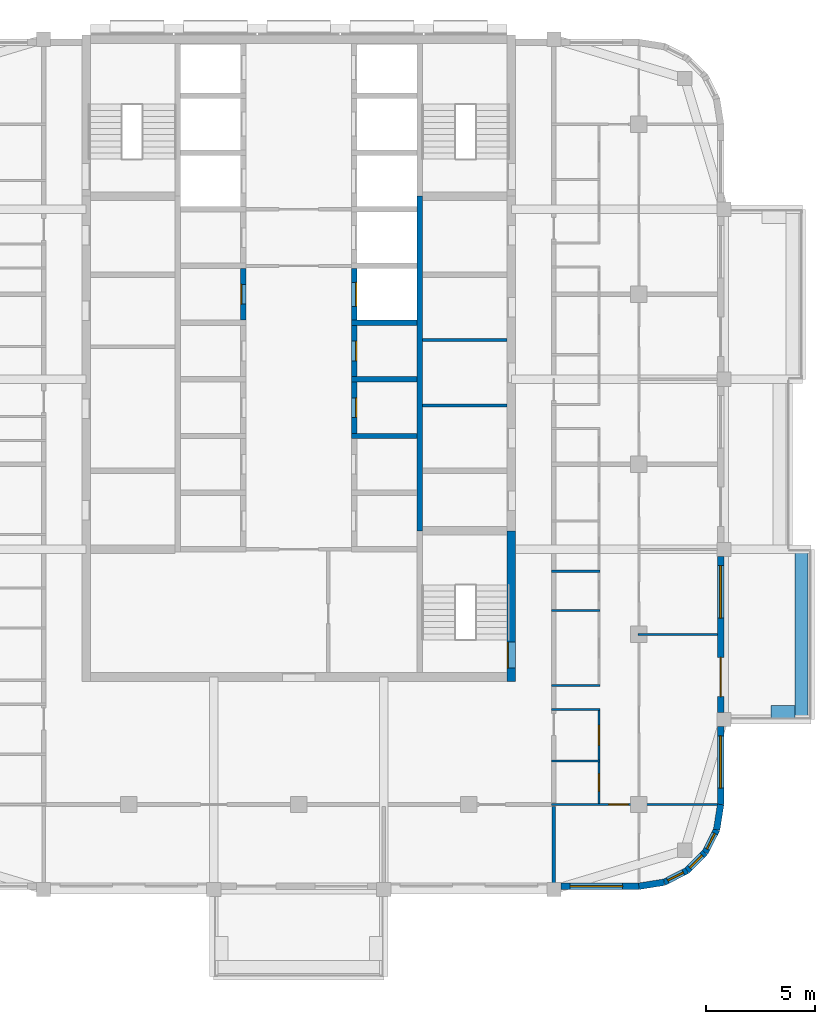
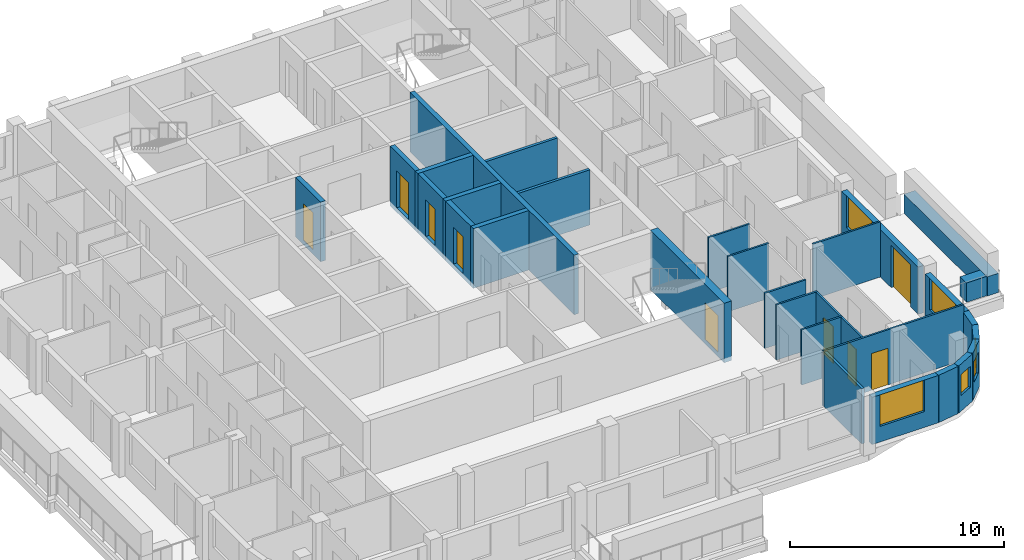
# One storey, part 5 of 13: 30 walls, 9 doors, 6 windows, 15 openings.
"""IFC4 building model written with IfcOpenShell, lengths in metres."""

from ifc_helpers import new_model, si_unit, direction, frame, frame_2d, origin, place, context, subcontext, project, spatial, rectangle, extrude, material, layer, layer_set, type_object, element, fill, save


model = new_model("IFC4")

# Units and contexts
model_context = context("Model", 3, precision=1e-05, world=origin(), true_north=direction((0.0, 1.0)))
body_context = subcontext(model_context, "Body", "Model", "MODEL_VIEW")
ifc_project = project(units=[si_unit("LENGTHUNIT", "METRE"), si_unit("AREAUNIT", "SQUARE_METRE"), si_unit("VOLUMEUNIT", "CUBIC_METRE"), si_unit("PLANEANGLEUNIT", "RADIAN"), si_unit("MASSUNIT", "GRAM", prefix="KILO")], contexts=[model_context])

# Site, building, storey
site_placement = place(None, origin())
site = spatial("IfcSite", under=ifc_project, at=site_placement, CompositionType="ELEMENT")
building_placement = place(site_placement, origin())
building = spatial("IfcBuilding", under=site, at=building_placement, Name="Ludao Terraces", CompositionType="ELEMENT")
storey_placement = place(building_placement, frame((0.0, 0.0, 249.39990234375)))
storey = spatial("IfcBuildingStorey", under=building, at=storey_placement, Name="L68", CompositionType="ELEMENT", Elevation=249.39990234375)

# Wall, opening, door
ifc_material_1 = material(Name="Concrete C50", Category="concrete")
ifc_layer_1 = layer(ifc_material_1, 0.39990234375)
ifc_layer_set_1 = layer_set([ifc_layer_1], Name="Core wall 400 C50")
wall_type_1 = type_object("IfcWallType", Name="Core wall 400 C50", PredefinedType="SOLIDWALL", material=ifc_layer_set_1)
wall_1_placement = place(storey_placement, frame((94.75, 55.050048828125, -0.25), z_axis=(0.0, 0.0, 1.0), x_axis=(0.0, 1.0, 0.0)))
wall_1 = element("IfcWall", 1, at=wall_1_placement, inside=storey, type_object=wall_type_1, Name="Core wall L68 outer-E-S3", PredefinedType="SOLIDWALL", context=body_context, shape_type="SweptSolid", body=[
    extrude(rectangle(XDim=6.89990234375, YDim=0.39990234375, at=frame_2d((3.449951171875, 0.0))), origin(), (0.0, 0.0, 1.0), 3.400146484375),
])
opening_1_placement = place(wall_1_placement, frame((0.60009765625, 0.0, 0.25)))
opening_1 = element("IfcOpeningElement", 2, at=opening_1_placement, cuts=wall_1, Name="Opening R24-017", PredefinedType="OPENING", context=body_context, shape_type="SweptSolid", body=[
    extrude(rectangle(XDim=1.199951171875, YDim=2.10009765625, at=frame_2d((0.60009765625, 1.050048828125))), frame((0.0, 0.2099609375, 0.0), z_axis=(0.0, -1.0, 0.0), x_axis=(1.0, 0.0, 0.0)), (0.0, 0.0, 1.0), 0.419921875),
])
ifc_material_2 = material(Name="Steel Q235", Category="steel")
door_type_1 = type_object("IfcDoorType", Name="INT Stair door 1200", OperationType="DOUBLE_DOOR_SINGLE_SWING", PredefinedType="DOOR", material=ifc_material_2)
door_1_placement = place(opening_1_placement, origin())
door_1 = element("IfcDoor", 3, at=door_1_placement, inside=storey, type_object=door_type_1, Name="DOOR 017", OperationType="DOUBLE_DOOR_SINGLE_SWING", OverallHeight=2.10009765625, OverallWidth=1.199951171875, PredefinedType="DOOR", context=body_context, shape_type="SweptSolid", body=[
    extrude(rectangle(XDim=1.199951171875, YDim=2.10009765625, at=frame_2d((0.60009765625, 1.050048828125))), frame((0.0, 0.18505859375, 0.0), z_axis=(0.0, -1.0, 0.0), x_axis=(1.0, 0.0, 0.0)), (0.0, 0.0, 1.0), 0.050048828125),
])
fill(opening_1, door_1)

# Walls
ifc_material_3 = material(Name="Concrete C40", Category="concrete")
ifc_layer_2 = layer(ifc_material_3, 0.60009765625)
ifc_layer_set_2 = layer_set([ifc_layer_2], Name="ENV Planter trough 600")
wall_type_2 = type_object("IfcWallType", Name="ENV Planter trough 600", PredefinedType="USERDEFINED", material=ifc_layer_set_2)
wall_2_placement = place(storey_placement, frame((108.050048828125, 53.300048828125, 0.0), z_axis=(0.0, 0.0, 1.0), x_axis=(0.0, 1.0, 0.0)))
element("IfcWall", 4, at=wall_2_placement, inside=storey, type_object=wall_type_2, Name="PL-L68-E1", ObjectType="PLANTER", PredefinedType="USERDEFINED", context=body_context, shape_type="SweptSolid", body=[
    extrude(rectangle(XDim=7.800048828125, YDim=0.60009765625, at=frame_2d((3.89990234375, 0.0))), origin(), (0.0, 0.0, 1.0), 1.10009765625),
])
wall_3_placement = place(storey_placement, frame((107.75, 53.64990234375, 0.0), z_axis=(0.0, 0.0, 1.0), x_axis=(-1.0, 0.0, 0.0)))
element("IfcWall", 5, at=wall_3_placement, inside=storey, type_object=wall_type_2, Name="PL-L68-E1-SA", ObjectType="PLANTER", PredefinedType="USERDEFINED", context=body_context, shape_type="SweptSolid", body=[
    extrude(rectangle(XDim=1.10009765625, YDim=0.60009765625, at=frame_2d((0.550048828125, 0.0))), origin(), (0.0, 0.0, 1.0), 1.10009765625),
])

# Wall, opening, window
ifc_material_4 = material(Name="Granite cladding", Category="masonry")
ifc_layer_3 = layer(ifc_material_4, 0.0400390625, Category="stone")
ifc_material_5 = material(Name="Mineral wool")
ifc_layer_4 = layer(ifc_material_5, 0.06005859375)
ifc_layer_5 = layer(ifc_material_3, 0.199951171875, Category="concrete")
ifc_layer_set_3 = layer_set([ifc_layer_3, ifc_layer_4, ifc_layer_5], Name="ENV Stone-clad wall 300")
wall_type_3 = type_object("IfcWallType", Name="ENV Stone-clad wall 300", PredefinedType="SOLIDWALL", material=ifc_layer_set_3)
wall_4_placement = place(storey_placement, frame((97.02490234375, 45.64990234375, 0.0), z_axis=(0.0, 0.0, 1.0), x_axis=(1.0, 0.0, 0.0)))
wall_4 = element("IfcWall", 6, at=wall_4_placement, inside=storey, type_object=wall_type_3, Name="EW-L68-S5", PredefinedType="SOLIDWALL", context=body_context, shape_type="SweptSolid", body=[
    extrude(rectangle(XDim=3.5751953125, YDim=0.300048828125, at=frame_2d((1.78759765625, 0.0))), origin(), (0.0, 0.0, 1.0), 2.7001953125),
])
opening_2_placement = place(wall_4_placement, frame((0.425048828125, 0.0, 0.89990234375)))
opening_2 = element("IfcOpeningElement", 7, at=opening_2_placement, cuts=wall_4, Name="Opening W1", PredefinedType="OPENING", context=body_context, shape_type="SweptSolid", body=[
    extrude(rectangle(XDim=2.39990234375, YDim=1.800048828125, at=frame_2d((1.199951171875, 0.89990234375))), frame((0.0, 0.16015625, 0.0), z_axis=(0.0, -1.0, 0.0), x_axis=(1.0, 0.0, 0.0)), (0.0, 0.0, 1.0), 0.320068359375),
])
ifc_material_6 = material(Name="Clear glass in aluminium frame", Category="aluminium")
ifc_layer_6 = layer(ifc_material_6, 0.06005859375)
ifc_layer_set_4 = layer_set([ifc_layer_6], Name="ENV Window W1 2400x1800")
window_type_1 = type_object("IfcWindowType", Name="ENV Window W1 2400x1800", PartitioningType="DOUBLE_PANEL_VERTICAL", PredefinedType="WINDOW", material=ifc_layer_set_4)
window_1_placement = place(opening_2_placement, origin())
window_1 = element("IfcWindow", 8, at=window_1_placement, inside=storey, type_object=window_type_1, Name="W-L68-S5-1", OverallHeight=1.800048828125, OverallWidth=2.39990234375, PartitioningType="DOUBLE_PANEL_VERTICAL", PredefinedType="WINDOW", context=body_context, shape_type="SweptSolid", body=[
    extrude(rectangle(XDim=2.39990234375, YDim=1.800048828125, at=frame_2d((1.199951171875, 0.89990234375))), frame((0.0, 0.030029296875, 0.0), z_axis=(0.0, -1.0, 0.0), x_axis=(1.0, 0.0, 0.0)), (0.0, 0.0, 1.0), 0.06005859375),
])
fill(opening_2, window_1)

wall_5_placement = place(storey_placement, frame((104.35009765625, 49.39990234375, 0.0), z_axis=(0.0, 0.0, 1.0), x_axis=(0.0, 1.0, 0.0)))
wall_5 = element("IfcWall", 9, at=wall_5_placement, inside=storey, type_object=wall_type_3, Name="EW-L68-E1", PredefinedType="SOLIDWALL", context=body_context, shape_type="SweptSolid", body=[
    extrude(rectangle(XDim=3.5751953125, YDim=0.300048828125, at=frame_2d((1.78759765625, 0.0))), origin(), (0.0, 0.0, 1.0), 2.7001953125),
])
opening_3_placement = place(wall_5_placement, frame((0.75, 0.0, 0.89990234375)))
opening_3 = element("IfcOpeningElement", 10, at=opening_3_placement, cuts=wall_5, Name="Opening W1", PredefinedType="OPENING", context=body_context, shape_type="SweptSolid", body=[
    extrude(rectangle(XDim=2.39990234375, YDim=1.800048828125, at=frame_2d((1.199951171875, 0.89990234375))), frame((0.0, 0.16015625, 0.0), z_axis=(0.0, -1.0, 0.0), x_axis=(1.0, 0.0, 0.0)), (0.0, 0.0, 1.0), 0.320068359375),
])
window_2_placement = place(opening_3_placement, origin())
window_2 = element("IfcWindow", 11, at=window_2_placement, inside=storey, type_object=window_type_1, Name="W-L68-E1-1", OverallHeight=1.800048828125, OverallWidth=2.39990234375, PartitioningType="DOUBLE_PANEL_VERTICAL", PredefinedType="WINDOW", context=body_context, shape_type="SweptSolid", body=[
    extrude(rectangle(XDim=2.39990234375, YDim=1.800048828125, at=frame_2d((1.199951171875, 0.89990234375))), frame((0.0, 0.030029296875, 0.0), z_axis=(0.0, -1.0, 0.0), x_axis=(1.0, 0.0, 0.0)), (0.0, 0.0, 1.0), 0.06005859375),
])
fill(opening_3, window_2)

# Wall, openings, door, window
wall_6_placement = place(storey_placement, frame((104.35009765625, 53.625, 0.0), z_axis=(0.0, 0.0, 1.0), x_axis=(0.0, 1.0, 0.0)))
wall_6 = element("IfcWall", 12, at=wall_6_placement, inside=storey, type_object=wall_type_3, Name="EW-L68-E2", PredefinedType="SOLIDWALL", context=body_context, shape_type="SweptSolid", body=[
    extrude(rectangle(XDim=7.14990234375, YDim=0.300048828125, at=frame_2d((3.574951171875, 0.0))), origin(), (0.0, 0.0, 1.0), 2.7001953125),
])
opening_4_placement = place(wall_6_placement, frame((0.72509765625, 0.0, 0.0)))
opening_4 = element("IfcOpeningElement", 13, at=opening_4_placement, cuts=wall_6, Name="Opening BD", PredefinedType="OPENING", context=body_context, shape_type="SweptSolid", body=[
    extrude(rectangle(XDim=1.800048828125, YDim=2.39990234375, at=frame_2d((0.89990234375, 1.199951171875))), frame((0.0, 0.16015625, 0.0), z_axis=(0.0, -1.0, 0.0), x_axis=(1.0, 0.0, 0.0)), (0.0, 0.0, 1.0), 0.320068359375),
])
opening_5_placement = place(wall_6_placement, frame((4.324951171875, 0.0, 0.89990234375)))
opening_5 = element("IfcOpeningElement", 14, at=opening_5_placement, cuts=wall_6, Name="Opening W1", PredefinedType="OPENING", context=body_context, shape_type="SweptSolid", body=[
    extrude(rectangle(XDim=2.39990234375, YDim=1.800048828125, at=frame_2d((1.199951171875, 0.89990234375))), frame((0.0, 0.16015625, 0.0), z_axis=(0.0, -1.0, 0.0), x_axis=(1.0, 0.0, 0.0)), (0.0, 0.0, 1.0), 0.320068359375),
])
ifc_material_7 = material(Name="Aluminium glazed door", Category="aluminium")
ifc_layer_7 = layer(ifc_material_7, 0.06005859375)
ifc_layer_set_5 = layer_set([ifc_layer_7], Name="ENV Balcony door BD 1800x2400")
door_type_2 = type_object("IfcDoorType", Name="ENV Balcony door BD 1800x2400", OperationType="DOUBLE_DOOR_SINGLE_SWING", PredefinedType="DOOR", material=ifc_layer_set_5)
door_2_placement = place(opening_4_placement, origin())
door_2 = element("IfcDoor", 15, at=door_2_placement, inside=storey, type_object=door_type_2, Name="BD-L68-E2-1", OperationType="DOUBLE_DOOR_SINGLE_SWING", OverallHeight=2.39990234375, OverallWidth=1.800048828125, PredefinedType="DOOR", context=body_context, shape_type="SweptSolid", body=[
    extrude(rectangle(XDim=1.800048828125, YDim=2.39990234375, at=frame_2d((0.89990234375, 1.199951171875))), frame((0.0, 0.02490234375, 0.0), z_axis=(0.0, -1.0, 0.0), x_axis=(1.0, 0.0, 0.0)), (0.0, 0.0, 1.0), 0.050048828125),
])
fill(opening_4, door_2)
window_3_placement = place(opening_5_placement, origin())
window_3 = element("IfcWindow", 16, at=window_3_placement, inside=storey, type_object=window_type_1, Name="W-L68-E2-2", OverallHeight=1.800048828125, OverallWidth=2.39990234375, PartitioningType="DOUBLE_PANEL_VERTICAL", PredefinedType="WINDOW", context=body_context, shape_type="SweptSolid", body=[
    extrude(rectangle(XDim=2.39990234375, YDim=1.800048828125, at=frame_2d((1.199951171875, 0.89990234375))), frame((0.0, 0.030029296875, 0.0), z_axis=(0.0, -1.0, 0.0), x_axis=(1.0, 0.0, 0.0)), (0.0, 0.0, 1.0), 0.06005859375),
])
fill(opening_5, window_3)

# Wall
wall_7_placement = place(storey_placement, frame((100.60009765625, 45.64990234375, 0.0), z_axis=(0.0, 0.0, 1.0), x_axis=(0.987678452879, 0.156496880861, 0.0)))
element("IfcWall", 17, at=wall_7_placement, inside=storey, type_object=wall_type_3, Name="EW-L68-SE1", PredefinedType="SOLIDWALL", context=body_context, shape_type="SweptSolid", body=[
    extrude(rectangle(XDim=1.173095703125, YDim=0.300048828125, at=frame_2d((0.58642578125, 0.0))), origin(), (0.0, 0.0, 1.0), 2.7001953125),
])

# Wall, opening, window
wall_8_placement = place(storey_placement, frame((101.7587890625, 45.83349609375, 0.0), z_axis=(0.0, 0.0, 1.0), x_axis=(0.890988677504, 0.454025524128, 0.0)))
wall_8 = element("IfcWall", 18, at=wall_8_placement, inside=storey, type_object=wall_type_3, Name="EW-L68-SE2", PredefinedType="SOLIDWALL", context=body_context, shape_type="SweptSolid", body=[
    extrude(rectangle(XDim=1.17333984375, YDim=0.300048828125, at=frame_2d((0.586669921875, 0.0))), origin(), (0.0, 0.0, 1.0), 2.7001953125),
])
opening_6_placement = place(wall_8_placement, frame((0.1865234375, 0.0, 0.89990234375)))
opening_6 = element("IfcOpeningElement", 19, at=opening_6_placement, cuts=wall_8, Name="Opening W3", PredefinedType="OPENING", context=body_context, shape_type="SweptSolid", body=[
    extrude(rectangle(XDim=0.800048828125, YDim=1.199951171875, at=frame_2d((0.39990234375, 0.60009765625))), frame((0.0, 0.16015625, 0.0), z_axis=(0.0, -1.0, 0.0), x_axis=(1.0, 0.0, 0.0)), (0.0, 0.0, 1.0), 0.320068359375),
])
ifc_layer_8 = layer(ifc_material_6, 0.06005859375)
ifc_layer_set_6 = layer_set([ifc_layer_8], Name="ENV Window W3 800x1200")
window_type_2 = type_object("IfcWindowType", Name="ENV Window W3 800x1200", PartitioningType="SINGLE_PANEL", PredefinedType="WINDOW", material=ifc_layer_set_6)
window_4_placement = place(opening_6_placement, origin())
window_4 = element("IfcWindow", 20, at=window_4_placement, inside=storey, type_object=window_type_2, Name="W-L68-SE2", OverallHeight=1.199951171875, OverallWidth=0.800048828125, PartitioningType="SINGLE_PANEL", PredefinedType="WINDOW", context=body_context, shape_type="SweptSolid", body=[
    extrude(rectangle(XDim=0.800048828125, YDim=1.199951171875, at=frame_2d((0.39990234375, 0.60009765625))), frame((0.0, 0.030029296875, 0.0), z_axis=(0.0, -1.0, 0.0), x_axis=(1.0, 0.0, 0.0)), (0.0, 0.0, 1.0), 0.06005859375),
])
fill(opening_6, window_4)

wall_9_placement = place(storey_placement, frame((102.80419921875, 46.3662109375, 0.0), z_axis=(0.0, 0.0, 1.0), x_axis=(0.707106781187, 0.707106781187, 0.0)))
wall_9 = element("IfcWall", 21, at=wall_9_placement, inside=storey, type_object=wall_type_3, Name="EW-L68-SE3", PredefinedType="SOLIDWALL", context=body_context, shape_type="SweptSolid", body=[
    extrude(rectangle(XDim=1.173095703125, YDim=0.300048828125, at=frame_2d((0.58642578125, 0.0))), origin(), (0.0, 0.0, 1.0), 2.7001953125),
])
opening_7_placement = place(wall_9_placement, frame((0.1865234375, 0.0, 0.89990234375)))
opening_7 = element("IfcOpeningElement", 22, at=opening_7_placement, cuts=wall_9, Name="Opening W3", PredefinedType="OPENING", context=body_context, shape_type="SweptSolid", body=[
    extrude(rectangle(XDim=0.800048828125, YDim=1.199951171875, at=frame_2d((0.39990234375, 0.60009765625))), frame((0.0, 0.16015625, 0.0), z_axis=(0.0, -1.0, 0.0), x_axis=(1.0, 0.0, 0.0)), (0.0, 0.0, 1.0), 0.320068359375),
])
window_5_placement = place(opening_7_placement, origin())
window_5 = element("IfcWindow", 23, at=window_5_placement, inside=storey, type_object=window_type_2, Name="W-L68-SE3", OverallHeight=1.199951171875, OverallWidth=0.800048828125, PartitioningType="SINGLE_PANEL", PredefinedType="WINDOW", context=body_context, shape_type="SweptSolid", body=[
    extrude(rectangle(XDim=0.800048828125, YDim=1.199951171875, at=frame_2d((0.39990234375, 0.60009765625))), frame((0.0, 0.030029296875, 0.0), z_axis=(0.0, -1.0, 0.0), x_axis=(1.0, 0.0, 0.0)), (0.0, 0.0, 1.0), 0.06005859375),
])
fill(opening_7, window_5)

wall_10_placement = place(storey_placement, frame((103.6337890625, 47.19580078125, 0.0), z_axis=(0.0, 0.0, 1.0), x_axis=(0.454025524128, 0.890988677504, 0.0)))
wall_10 = element("IfcWall", 24, at=wall_10_placement, inside=storey, type_object=wall_type_3, Name="EW-L68-SE4", PredefinedType="SOLIDWALL", context=body_context, shape_type="SweptSolid", body=[
    extrude(rectangle(XDim=1.17333984375, YDim=0.300048828125, at=frame_2d((0.586669921875, 0.0))), origin(), (0.0, 0.0, 1.0), 2.7001953125),
])
opening_8_placement = place(wall_10_placement, frame((0.1865234375, 0.0, 0.89990234375)))
opening_8 = element("IfcOpeningElement", 25, at=opening_8_placement, cuts=wall_10, Name="Opening W3", PredefinedType="OPENING", context=body_context, shape_type="SweptSolid", body=[
    extrude(rectangle(XDim=0.800048828125, YDim=1.199951171875, at=frame_2d((0.39990234375, 0.60009765625))), frame((0.0, 0.16015625, 0.0), z_axis=(0.0, -1.0, 0.0), x_axis=(1.0, 0.0, 0.0)), (0.0, 0.0, 1.0), 0.320068359375),
])
window_6_placement = place(opening_8_placement, origin())
window_6 = element("IfcWindow", 26, at=window_6_placement, inside=storey, type_object=window_type_2, Name="W-L68-SE4", OverallHeight=1.199951171875, OverallWidth=0.800048828125, PartitioningType="SINGLE_PANEL", PredefinedType="WINDOW", context=body_context, shape_type="SweptSolid", body=[
    extrude(rectangle(XDim=0.800048828125, YDim=1.199951171875, at=frame_2d((0.39990234375, 0.60009765625))), frame((0.0, 0.030029296875, 0.0), z_axis=(0.0, -1.0, 0.0), x_axis=(1.0, 0.0, 0.0)), (0.0, 0.0, 1.0), 0.06005859375),
])
fill(opening_8, window_6)

# Walls
wall_11_placement = place(storey_placement, frame((104.16650390625, 48.2412109375, 0.0), z_axis=(0.0, 0.0, 1.0), x_axis=(0.156496880861, 0.987678452879, 0.0)))
element("IfcWall", 27, at=wall_11_placement, inside=storey, type_object=wall_type_3, Name="EW-L68-SE5", PredefinedType="SOLIDWALL", context=body_context, shape_type="SweptSolid", body=[
    extrude(rectangle(XDim=1.173095703125, YDim=0.300048828125, at=frame_2d((0.58642578125, 0.0))), origin(), (0.0, 0.0, 1.0), 2.7001953125),
])
ifc_material_8 = material(Name="Fire-rated gypsum plasterboard", Category="gypsum")
ifc_layer_9 = layer(ifc_material_8, 0.012451171875, Category="gypsum")
ifc_layer_10 = layer(ifc_material_5, 0.10009765625, Name="insulation")
ifc_layer_11 = layer(ifc_material_2, 0.02490234375, Name="stud")
ifc_layer_12 = layer(ifc_material_8, 0.012451171875, Category="gypsum")
ifc_layer_set_7 = layer_set([ifc_layer_9, ifc_layer_10, ifc_layer_11, ifc_layer_12], Name="INT Core partition 150")
wall_type_4 = type_object("IfcWallType", Name="INT Core partition 150", PredefinedType="PARTITIONING", material=ifc_layer_set_7)
for number, where, z_axis, x_axis, name in (
    (28, (90.675048828125, 67.699951171875, 0.0), (0.0, 0.0, 1.0), (1.0, 0.0, 0.0), "PW-L68-PW026"),
    (29, (90.675048828125, 70.699951171875, 0.0), (0.0, 0.0, 1.0), (1.0, 0.0, 0.0), "PW-L68-PW033"),
):
    element("IfcWall", number, at=place(storey_placement, frame(where, z_axis=z_axis, x_axis=x_axis)), inside=storey, type_object=wall_type_4, Name=name, PredefinedType="PARTITIONING", context=body_context, shape_type="SweptSolid", body=[
        extrude(rectangle(XDim=3.875, YDim=0.14990234375, at=frame_2d((1.9375, 0.0))), origin(), (0.0, 0.0, 1.0), 3.150146484375),
    ])

# Wall, opening, door
ifc_material_9 = material(Name="Gypsum plasterboard", Category="gypsum")
ifc_layer_13 = layer(ifc_material_9, 0.012451171875, Category="gypsum")
ifc_layer_14 = layer(ifc_material_5, 0.06005859375, Name="insulation")
ifc_layer_15 = layer(ifc_material_2, 0.014892578125, Name="stud")
ifc_layer_16 = layer(ifc_material_9, 0.012451171875, Category="gypsum")
ifc_layer_set_8 = layer_set([ifc_layer_13, ifc_layer_14, ifc_layer_15, ifc_layer_16], Name="INT Partition 100")
wall_type_5 = type_object("IfcWallType", Name="INT Partition 100", PredefinedType="PARTITIONING", material=ifc_layer_set_8)
wall_12_placement = place(storey_placement, frame((96.60009765625, 49.39990234375, 0.0), z_axis=(0.0, 0.0, 1.0), x_axis=(1.0, 0.0, 0.0)))
wall_12 = element("IfcWall", 30, at=wall_12_placement, inside=storey, type_object=wall_type_5, Name="PW-L68-PW002", PredefinedType="PARTITIONING", context=body_context, shape_type="SweptSolid", body=[
    extrude(rectangle(XDim=7.60009765625, YDim=0.10009765625, at=frame_2d((3.800048828125, 0.0))), origin(), (0.0, 0.0, 1.0), 3.150146484375),
])
opening_9_placement = place(wall_12_placement, frame((2.610107421875, 0.0, 0.0)))
opening_9 = element("IfcOpeningElement", 31, at=opening_9_placement, cuts=wall_12, Name="Opening R24-006", PredefinedType="OPENING", context=body_context, shape_type="SweptSolid", body=[
    extrude(rectangle(XDim=0.89990234375, YDim=2.10009765625, at=frame_2d((0.449951171875, 1.050048828125))), frame((0.0, 0.06005859375, 0.0), z_axis=(0.0, -1.0, 0.0), x_axis=(1.0, 0.0, 0.0)), (0.0, 0.0, 1.0), 0.1201171875),
])
ifc_material_10 = material(Name="Timber door leaf", Category="wood")
door_type_3 = type_object("IfcDoorType", Name="INT Room door 900", OperationType="SINGLE_SWING_LEFT", PredefinedType="DOOR", material=ifc_material_10)
door_3_placement = place(opening_9_placement, origin())
door_3 = element("IfcDoor", 32, at=door_3_placement, inside=storey, type_object=door_type_3, Name="DOOR 006", OperationType="SINGLE_SWING_LEFT", OverallHeight=2.10009765625, OverallWidth=0.89990234375, PredefinedType="DOOR", context=body_context, shape_type="SweptSolid", body=[
    extrude(rectangle(XDim=0.89990234375, YDim=2.10009765625, at=frame_2d((0.449951171875, 1.050048828125))), frame((0.0, 0.02490234375, 0.0), z_axis=(0.0, -1.0, 0.0), x_axis=(1.0, 0.0, 0.0)), (0.0, 0.0, 1.0), 0.050048828125),
])
fill(opening_9, door_3)

# Walls
for number, where, z_axis, x_axis, name in (
    (33, (96.60009765625, 51.39990234375, 0.0), (0.0, 0.0, 1.0), (1.0, 0.0, 0.0), "PW-L68-PW003"),
    (34, (96.60009765625, 53.75, 0.0), (0.0, 0.0, 1.0), (1.0, 0.0, 0.0), "PW-L68-PW006"),
    (35, (96.60009765625, 54.85009765625, 0.0), (0.0, 0.0, 1.0), (1.0, 0.0, 0.0), "PW-L68-PW008"),
):
    element("IfcWall", number, at=place(storey_placement, frame(where, z_axis=z_axis, x_axis=x_axis)), inside=storey, type_object=wall_type_5, Name=name, PredefinedType="PARTITIONING", context=body_context, shape_type="SweptSolid", body=[
        extrude(rectangle(XDim=2.219970703125, YDim=0.10009765625, at=frame_2d((1.10986328125, 0.0))), origin(), (0.0, 0.0, 1.0), 3.150146484375),
    ])
wall_13_placement = place(storey_placement, frame((100.550048828125, 57.199951171875, 0.0), z_axis=(0.0, 0.0, 1.0), x_axis=(1.0, 0.0, 0.0)))
element("IfcWall", 36, at=wall_13_placement, inside=storey, type_object=wall_type_5, Name="PW-L68-PW011", PredefinedType="PARTITIONING", context=body_context, shape_type="SweptSolid", body=[
    extrude(rectangle(XDim=3.650146484375, YDim=0.10009765625, at=frame_2d((1.8251953125, 0.0))), origin(), (0.0, 0.0, 1.0), 3.150146484375),
])
for number, where, z_axis, x_axis, name in (
    (37, (96.60009765625, 58.300048828125, 0.0), (0.0, 0.0, 1.0), (1.0, 0.0, 0.0), "PW-L68-PW013"),
    (38, (96.60009765625, 60.10009765625, 0.0), (0.0, 0.0, 1.0), (1.0, 0.0, 0.0), "PW-L68-PW015"),
):
    element("IfcWall", number, at=place(storey_placement, frame(where, z_axis=z_axis, x_axis=x_axis)), inside=storey, type_object=wall_type_5, Name=name, PredefinedType="PARTITIONING", context=body_context, shape_type="SweptSolid", body=[
        extrude(rectangle(XDim=2.219970703125, YDim=0.10009765625, at=frame_2d((1.10986328125, 0.0))), origin(), (0.0, 0.0, 1.0), 3.150146484375),
    ])

# Wall, openings, doors
wall_14_placement = place(storey_placement, frame((98.77001953125, 49.4501953125, 0.0), z_axis=(0.0, 0.0, 1.0), x_axis=(0.0, 1.0, 0.0)))
wall_14 = element("IfcWall", 39, at=wall_14_placement, inside=storey, type_object=wall_type_5, Name="PW-L68-PW057", PredefinedType="PARTITIONING", context=body_context, shape_type="SweptSolid", body=[
    extrude(rectangle(XDim=4.25, YDim=0.10009765625, at=frame_2d((2.125, 0.0))), origin(), (0.0, 0.0, 1.0), 3.150146484375),
])
opening_10_placement = place(wall_14_placement, frame((0.5498046875, 0.0, 0.0)))
opening_10 = element("IfcOpeningElement", 40, at=opening_10_placement, cuts=wall_14, Name="Opening R24-007", PredefinedType="OPENING", context=body_context, shape_type="SweptSolid", body=[
    extrude(rectangle(XDim=0.800048828125, YDim=2.10009765625, at=frame_2d((0.39990234375, 1.050048828125))), frame((0.0, 0.06005859375, 0.0), z_axis=(0.0, -1.0, 0.0), x_axis=(1.0, 0.0, 0.0)), (0.0, 0.0, 1.0), 0.1201171875),
])
opening_11_placement = place(wall_14_placement, frame((2.6748046875, 0.0, 0.0)))
opening_11 = element("IfcOpeningElement", 41, at=opening_11_placement, cuts=wall_14, Name="Opening R24-010", PredefinedType="OPENING", context=body_context, shape_type="SweptSolid", body=[
    extrude(rectangle(XDim=0.89990234375, YDim=2.10009765625, at=frame_2d((0.449951171875, 1.050048828125))), frame((0.0, 0.06005859375, 0.0), z_axis=(0.0, -1.0, 0.0), x_axis=(1.0, 0.0, 0.0)), (0.0, 0.0, 1.0), 0.1201171875),
])
door_type_4 = type_object("IfcDoorType", Name="INT Bathroom door 900", OperationType="SINGLE_SWING_LEFT", PredefinedType="DOOR", material=ifc_material_10)
door_4_placement = place(opening_11_placement, origin())
door_4 = element("IfcDoor", 42, at=door_4_placement, inside=storey, type_object=door_type_4, Name="DOOR 010", OperationType="SINGLE_SWING_LEFT", OverallHeight=2.10009765625, OverallWidth=0.89990234375, PredefinedType="DOOR", context=body_context, shape_type="SweptSolid", body=[
    extrude(rectangle(XDim=0.89990234375, YDim=2.10009765625, at=frame_2d((0.449951171875, 1.050048828125))), frame((0.0, 0.02490234375, 0.0), z_axis=(0.0, -1.0, 0.0), x_axis=(1.0, 0.0, 0.0)), (0.0, 0.0, 1.0), 0.050048828125),
])
fill(opening_11, door_4)
door_type_5 = type_object("IfcDoorType", Name="INT Store door 800", OperationType="SINGLE_SWING_LEFT", PredefinedType="DOOR", material=ifc_material_10)
door_5_placement = place(opening_10_placement, origin())
door_5 = element("IfcDoor", 43, at=door_5_placement, inside=storey, type_object=door_type_5, Name="DOOR 007", OperationType="SINGLE_SWING_LEFT", OverallHeight=2.10009765625, OverallWidth=0.800048828125, PredefinedType="DOOR", context=body_context, shape_type="SweptSolid", body=[
    extrude(rectangle(XDim=0.800048828125, YDim=2.10009765625, at=frame_2d((0.39990234375, 1.050048828125))), frame((0.0, 0.02490234375, 0.0), z_axis=(0.0, -1.0, 0.0), x_axis=(1.0, 0.0, 0.0)), (0.0, 0.0, 1.0), 0.050048828125),
])
fill(opening_10, door_5)

# Walls
ifc_material_11 = material(Name="Autoclaved aerated concrete block B06 A3.5", Category="concrete")
ifc_layer_17 = layer(ifc_material_11, 0.14990234375)
ifc_layer_set_9 = layer_set([ifc_layer_17], Name="INT Party wall 150")
wall_type_6 = type_object("IfcWallType", Name="INT Party wall 150", PredefinedType="PARTITIONING", material=ifc_layer_set_9)
wall_15_placement = place(storey_placement, frame((96.699951171875, 45.800048828125, 0.0), z_axis=(0.0, 0.0, 1.0), x_axis=(0.0, 1.0, 0.0)))
element("IfcWall", 44, at=wall_15_placement, inside=storey, type_object=wall_type_6, Name="PW-L68-PW055", PredefinedType="PARTITIONING", context=body_context, shape_type="SweptSolid", body=[
    extrude(rectangle(XDim=3.5, YDim=0.14990234375, at=frame_2d((1.75, 0.0))), origin(), (0.0, 0.0, 1.0), 3.150146484375),
])
ifc_layer_18 = layer(ifc_material_1, 0.25)
ifc_layer_set_10 = layer_set([ifc_layer_18], Name="Shaft wall 250 C50")
wall_type_7 = type_object("IfcWallType", Name="Shaft wall 250 C50", PredefinedType="SOLIDWALL", material=ifc_layer_set_10)
wall_16_placement = place(storey_placement, frame((90.550048828125, 61.949951171875, -0.25), z_axis=(0.0, 0.0, 1.0), x_axis=(0.0, 1.0, 0.0)))
element("IfcWall", 45, at=wall_16_placement, inside=storey, type_object=wall_type_7, Name="Core wall L68 back-E", PredefinedType="SOLIDWALL", context=body_context, shape_type="SweptSolid", body=[
    extrude(rectangle(XDim=15.35009765625, YDim=0.25, at=frame_2d((7.675048828125, 0.0))), origin(), (0.0, 0.0, 1.0), 3.400146484375),
])

# Wall, opening, door
wall_17_placement = place(storey_placement, frame((82.449951171875, 71.625, -0.25), z_axis=(0.0, 0.0, 1.0), x_axis=(0.0, 1.0, 0.0)))
wall_17 = element("IfcWall", 46, at=wall_17_placement, inside=storey, type_object=wall_type_7, Name="Core wall L68 front-W5", PredefinedType="SOLIDWALL", context=body_context, shape_type="SweptSolid", body=[
    extrude(rectangle(XDim=2.35009765625, YDim=0.25, at=frame_2d((1.175048828125, 0.0))), origin(), (0.0, 0.0, 1.0), 3.400146484375),
])
opening_12_placement = place(wall_17_placement, frame((0.72509765625, 0.0, 0.25)))
opening_12 = element("IfcOpeningElement", 47, at=opening_12_placement, cuts=wall_17, Name="Opening R24-059", PredefinedType="OPENING", context=body_context, shape_type="SweptSolid", body=[
    extrude(rectangle(XDim=0.89990234375, YDim=2.10009765625, at=frame_2d((0.449951171875, 1.050048828125))), frame((0.0, 0.135009765625, 0.0), z_axis=(0.0, -1.0, 0.0), x_axis=(1.0, 0.0, 0.0)), (0.0, 0.0, 1.0), 0.27001953125),
])
door_6_placement = place(opening_12_placement, origin())
door_6 = element("IfcDoor", 48, at=door_6_placement, inside=storey, type_object=door_type_3, Name="DOOR 059", OperationType="SINGLE_SWING_LEFT", OverallHeight=2.10009765625, OverallWidth=0.89990234375, PredefinedType="DOOR", context=body_context, shape_type="SweptSolid", body=[
    extrude(rectangle(XDim=0.89990234375, YDim=2.10009765625, at=frame_2d((0.449951171875, 1.050048828125))), frame((0.0, 0.10986328125, 0.0), z_axis=(0.0, -1.0, 0.0), x_axis=(1.0, 0.0, 0.0)), (0.0, 0.0, 1.0), 0.050048828125),
])
fill(opening_12, door_6)

# Wall
wall_18_placement = place(storey_placement, frame((87.425048828125, 66.300048828125, -0.25), z_axis=(0.0, 0.0, 1.0), x_axis=(1.0, 0.0, 0.0)))
element("IfcWall", 49, at=wall_18_placement, inside=storey, type_object=wall_type_7, Name="Core wall L68 div-E3", PredefinedType="SOLIDWALL", context=body_context, shape_type="SweptSolid", body=[
    extrude(rectangle(XDim=3.0, YDim=0.25, at=frame_2d((1.5, 0.0))), origin(), (0.0, 0.0, 1.0), 3.400146484375),
])

# Wall, opening, door
wall_19_placement = place(storey_placement, frame((87.550048828125, 66.425048828125, -0.25), z_axis=(0.0, 0.0, 1.0), x_axis=(0.0, 1.0, 0.0)))
wall_19 = element("IfcWall", 50, at=wall_19_placement, inside=storey, type_object=wall_type_7, Name="Core wall L68 front-E3", PredefinedType="SOLIDWALL", context=body_context, shape_type="SweptSolid", body=[
    extrude(rectangle(XDim=2.349853515625, YDim=0.25, at=frame_2d((1.1748046875, 0.0))), origin(), (0.0, 0.0, 1.0), 3.400146484375),
])
opening_13_placement = place(wall_19_placement, frame((0.72509765625, 0.0, 0.25)))
opening_13 = element("IfcOpeningElement", 51, at=opening_13_placement, cuts=wall_19, Name="Opening R24-045", PredefinedType="OPENING", context=body_context, shape_type="SweptSolid", body=[
    extrude(rectangle(XDim=0.89990234375, YDim=2.10009765625, at=frame_2d((0.449951171875, 1.050048828125))), frame((0.0, 0.135009765625, 0.0), z_axis=(0.0, -1.0, 0.0), x_axis=(1.0, 0.0, 0.0)), (0.0, 0.0, 1.0), 0.27001953125),
])
door_7_placement = place(opening_13_placement, origin())
door_7 = element("IfcDoor", 52, at=door_7_placement, inside=storey, type_object=door_type_3, Name="DOOR 045", OperationType="SINGLE_SWING_RIGHT", OverallHeight=2.10009765625, OverallWidth=0.89990234375, PredefinedType="DOOR", context=body_context, shape_type="SweptSolid", body=[
    extrude(rectangle(XDim=0.89990234375, YDim=2.10009765625, at=frame_2d((0.449951171875, 1.050048828125))), frame((0.0, -0.06005859375, 0.0), z_axis=(0.0, -1.0, 0.0), x_axis=(1.0, 0.0, 0.0)), (0.0, 0.0, 1.0), 0.050048828125),
])
fill(opening_13, door_7)

# Wall
wall_20_placement = place(storey_placement, frame((87.425048828125, 68.89990234375, -0.25), z_axis=(0.0, 0.0, 1.0), x_axis=(1.0, 0.0, 0.0)))
element("IfcWall", 53, at=wall_20_placement, inside=storey, type_object=wall_type_7, Name="Core wall L68 div-E4", PredefinedType="SOLIDWALL", context=body_context, shape_type="SweptSolid", body=[
    extrude(rectangle(XDim=3.0, YDim=0.25, at=frame_2d((1.5, 0.0))), origin(), (0.0, 0.0, 1.0), 3.400146484375),
])

# Wall, opening, door
wall_21_placement = place(storey_placement, frame((87.550048828125, 69.02490234375, -0.25), z_axis=(0.0, 0.0, 1.0), x_axis=(0.0, 1.0, 0.0)))
wall_21 = element("IfcWall", 54, at=wall_21_placement, inside=storey, type_object=wall_type_7, Name="Core wall L68 front-E4", PredefinedType="SOLIDWALL", context=body_context, shape_type="SweptSolid", body=[
    extrude(rectangle(XDim=2.35009765625, YDim=0.25, at=frame_2d((1.175048828125, 0.0))), origin(), (0.0, 0.0, 1.0), 3.400146484375),
])
opening_14_placement = place(wall_21_placement, frame((0.72509765625, 0.0, 0.25)))
opening_14 = element("IfcOpeningElement", 55, at=opening_14_placement, cuts=wall_21, Name="Opening R24-052", PredefinedType="OPENING", context=body_context, shape_type="SweptSolid", body=[
    extrude(rectangle(XDim=0.89990234375, YDim=2.10009765625, at=frame_2d((0.449951171875, 1.050048828125))), frame((0.0, 0.135009765625, 0.0), z_axis=(0.0, -1.0, 0.0), x_axis=(1.0, 0.0, 0.0)), (0.0, 0.0, 1.0), 0.27001953125),
])
door_8_placement = place(opening_14_placement, origin())
door_8 = element("IfcDoor", 56, at=door_8_placement, inside=storey, type_object=door_type_3, Name="DOOR 052", OperationType="SINGLE_SWING_LEFT", OverallHeight=2.10009765625, OverallWidth=0.89990234375, PredefinedType="DOOR", context=body_context, shape_type="SweptSolid", body=[
    extrude(rectangle(XDim=0.89990234375, YDim=2.10009765625, at=frame_2d((0.449951171875, 1.050048828125))), frame((0.0, -0.06005859375, 0.0), z_axis=(0.0, -1.0, 0.0), x_axis=(1.0, 0.0, 0.0)), (0.0, 0.0, 1.0), 0.050048828125),
])
fill(opening_14, door_8)

# Wall
wall_22_placement = place(storey_placement, frame((87.425048828125, 71.5, -0.25), z_axis=(0.0, 0.0, 1.0), x_axis=(1.0, 0.0, 0.0)))
element("IfcWall", 57, at=wall_22_placement, inside=storey, type_object=wall_type_7, Name="Core wall L68 div-E5", PredefinedType="SOLIDWALL", context=body_context, shape_type="SweptSolid", body=[
    extrude(rectangle(XDim=3.0, YDim=0.25, at=frame_2d((1.5, 0.0))), origin(), (0.0, 0.0, 1.0), 3.400146484375),
])

# Wall, opening, door
wall_23_placement = place(storey_placement, frame((87.550048828125, 71.625, -0.25), z_axis=(0.0, 0.0, 1.0), x_axis=(0.0, 1.0, 0.0)))
wall_23 = element("IfcWall", 58, at=wall_23_placement, inside=storey, type_object=wall_type_7, Name="Core wall L68 front-E5", PredefinedType="SOLIDWALL", context=body_context, shape_type="SweptSolid", body=[
    extrude(rectangle(XDim=2.35009765625, YDim=0.25, at=frame_2d((1.175048828125, 0.0))), origin(), (0.0, 0.0, 1.0), 3.400146484375),
])
opening_15_placement = place(wall_23_placement, frame((0.625, 0.0, 0.25)))
opening_15 = element("IfcOpeningElement", 59, at=opening_15_placement, cuts=wall_23, Name="Opening LD-LB1", PredefinedType="OPENING", context=body_context, shape_type="SweptSolid", body=[
    extrude(rectangle(XDim=1.10009765625, YDim=2.10009765625, at=frame_2d((0.550048828125, 1.050048828125))), frame((0.0, 0.135009765625, 0.0), z_axis=(0.0, -1.0, 0.0), x_axis=(1.0, 0.0, 0.0)), (0.0, 0.0, 1.0), 0.27001953125),
])
ifc_material_12 = material(Name="Stainless steel 304", Category="steel")
door_type_6 = type_object("IfcDoorType", Name="INT Lift landing door 1100", OperationType="SLIDING_TO_LEFT", PredefinedType="DOOR", material=ifc_material_12)
door_9_placement = place(opening_15_placement, origin())
door_9 = element("IfcDoor", 60, at=door_9_placement, inside=storey, type_object=door_type_6, Name="LANDING DOOR LB1 L68", OperationType="SLIDING_TO_LEFT", OverallHeight=2.10009765625, OverallWidth=1.10009765625, PredefinedType="DOOR", context=body_context, shape_type="SweptSolid", body=[
    extrude(rectangle(XDim=1.10009765625, YDim=2.10009765625, at=frame_2d((0.550048828125, 1.050048828125))), frame((0.0, -0.06005859375, 0.0), z_axis=(0.0, -1.0, 0.0), x_axis=(1.0, 0.0, 0.0)), (0.0, 0.0, 1.0), 0.050048828125),
])
fill(opening_15, door_9)

save(model, "model.ifc")
